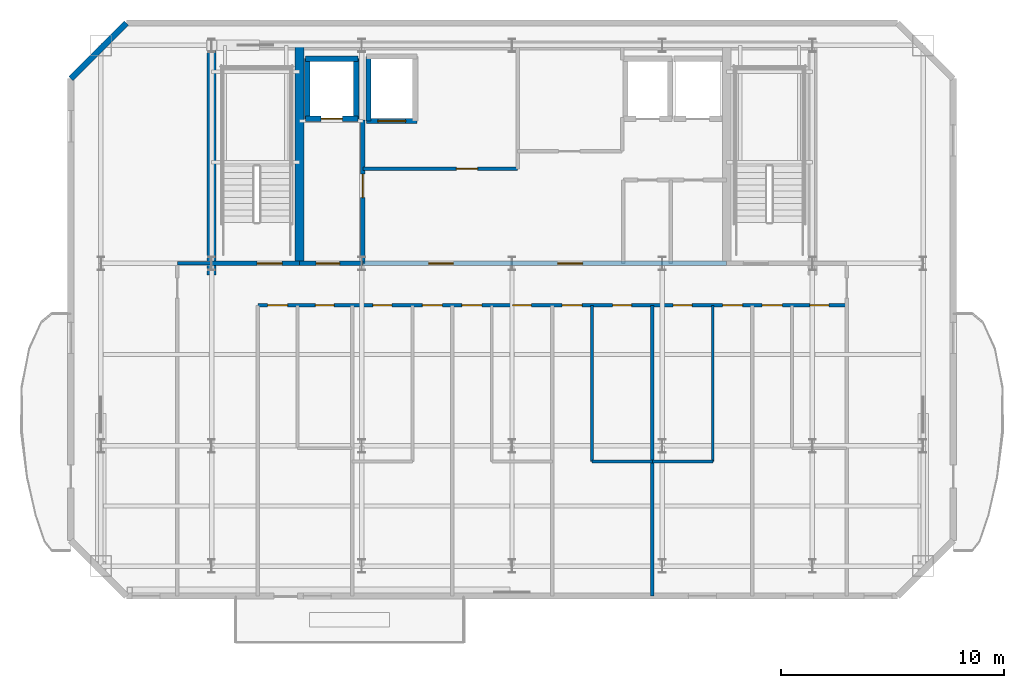
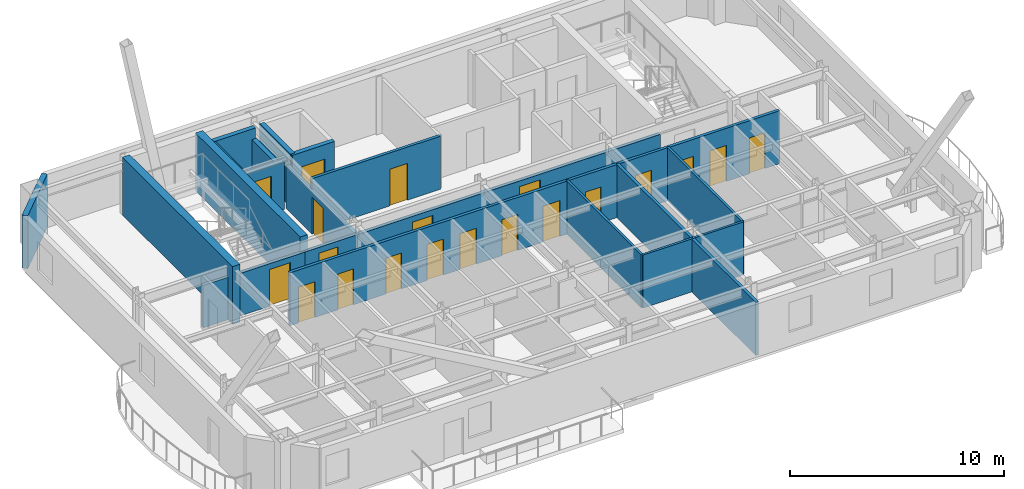
# One storey, part 3 of 6: 21 walls, 20 doors, 20 openings.
"""IFC4 building model written with IfcOpenShell, lengths in metres."""

from ifc_helpers import new_model, si_unit, direction, frame, frame_2d, origin, place, context, subcontext, project, spatial, rectangle, extrude, material, layer, layer_set, type_object, element, fill, save


model = new_model("IFC4")

# Units and contexts
model_context = context("Model", 3, precision=1e-05, world=origin(), true_north=direction((0.0, 1.0)))
body_context = subcontext(model_context, "Body", "Model", "MODEL_VIEW")
ifc_project = project(units=[si_unit("LENGTHUNIT", "METRE"), si_unit("AREAUNIT", "SQUARE_METRE"), si_unit("VOLUMEUNIT", "CUBIC_METRE"), si_unit("PLANEANGLEUNIT", "RADIAN"), si_unit("MASSUNIT", "GRAM", prefix="KILO")], contexts=[model_context])

# Site, building, storey
site_placement = place(None, origin())
site = spatial("IfcSite", under=ifc_project, at=site_placement, CompositionType="ELEMENT")
building_placement = place(site_placement, origin())
building = spatial("IfcBuilding", under=site, at=building_placement, Name="Haevon Station Towers", CompositionType="ELEMENT")
storey_placement = place(building_placement, frame((0.0, 0.0, 249.300048828125)))
storey = spatial("IfcBuildingStorey", under=building, at=storey_placement, Name="L69", CompositionType="ELEMENT", Elevation=249.300048828125)

# Wall, opening, door
ifc_material_1 = material(Name="Gypsum board on steel stud", Category="steel")
ifc_layer_1 = layer(ifc_material_1, 0.199951171875)
ifc_layer_set_1 = layer_set([ifc_layer_1], Name="Gypsum board on steel stud")
wall_type_1 = type_object("IfcWallType", Name="WL-COR200", PredefinedType="PARTITIONING", material=ifc_layer_set_1)
wall_1_placement = place(storey_placement, frame((24.0, 38.199951171875, 0.0), z_axis=(0.0, 0.0, 1.0), x_axis=(1.0, 0.0, 0.0)))
wall_1 = element("IfcWall", 1, at=wall_1_placement, inside=storey, type_object=wall_type_1, Name="WL-ST-ST1-L69", PredefinedType="PARTITIONING", context=body_context, shape_type="SweptSolid", body=[
    extrude(rectangle(XDim=3.949951171875, YDim=0.199951171875, at=frame_2d((1.97509765625, 0.0))), origin(), (0.0, 0.0, 1.0), 2.429931640625),
])
opening_1_placement = place(wall_1_placement, frame((2.050048828125, 0.0, 0.0)))
opening_1 = element("IfcOpeningElement", 2, at=opening_1_placement, cuts=wall_1, Name="Opening DR-ST-ST1-L69", PredefinedType="OPENING", context=body_context, shape_type="SweptSolid", body=[
    extrude(rectangle(XDim=1.1201171875, YDim=2.10009765625, at=frame_2d((0.56005859375, 1.050048828125))), frame((0.0, 0.10986328125, 0.0), z_axis=(0.0, -1.0, 0.0), x_axis=(1.0, 0.0, 0.0)), (0.0, 0.0, 1.0), 0.219970703125),
])
ifc_material_2 = material(Name="Engineered oak timber", Category="wood")
door_type_1 = type_object("IfcDoorType", Name="DR-ST-1120", OperationType="NOTDEFINED", PredefinedType="DOOR", material=ifc_material_2)
door_1_placement = place(opening_1_placement, origin())
door_1 = element("IfcDoor", 3, at=door_1_placement, inside=storey, type_object=door_type_1, Name="L69 Escape Stair ST1 Fire Door", OperationType="SINGLE_SWING_LEFT", OverallHeight=2.10009765625, OverallWidth=1.1201171875, PredefinedType="DOOR", context=body_context, shape_type="SweptSolid", body=[
    extrude(rectangle(XDim=1.1201171875, YDim=2.10009765625, at=frame_2d((0.56005859375, 1.050048828125))), frame((0.0, 0.02490234375, 0.0), z_axis=(0.0, -1.0, 0.0), x_axis=(1.0, 0.0, 0.0)), (0.0, 0.0, 1.0), 0.050048828125),
])
fill(opening_1, door_1)

wall_2_placement = place(storey_placement, frame((30.800048828125, 38.199951171875, 0.0), z_axis=(0.0, 0.0, 1.0), x_axis=(0.0, 1.0, 0.0)))
wall_2 = element("IfcWall", 4, at=wall_2_placement, inside=storey, type_object=wall_type_1, Name="WL-T1FFL-L69-E", PredefinedType="PARTITIONING", context=body_context, shape_type="SweptSolid", body=[
    extrude(rectangle(XDim=6.449951171875, YDim=0.199951171875, at=frame_2d((3.22509765625, 0.0))), origin(), (0.0, 0.0, 1.0), 2.429931640625),
])
opening_2_placement = place(wall_2_placement, frame((2.9599609375, 0.0, 0.0)))
opening_2 = element("IfcOpeningElement", 5, at=opening_2_placement, cuts=wall_2, Name="Opening DR-T1FFL-L69-E", PredefinedType="OPENING", context=body_context, shape_type="SweptSolid", body=[
    extrude(rectangle(XDim=1.050048828125, YDim=2.10009765625, at=frame_2d((0.52490234375, 1.050048828125))), frame((0.0, 0.10986328125, 0.0), z_axis=(0.0, -1.0, 0.0), x_axis=(1.0, 0.0, 0.0)), (0.0, 0.0, 1.0), 0.219970703125),
])
door_type_2 = type_object("IfcDoorType", Name="DR-FD60-1050", OperationType="NOTDEFINED", PredefinedType="DOOR", material=ifc_material_2)
door_2_placement = place(opening_2_placement, origin())
door_2 = element("IfcDoor", 6, at=door_2_placement, inside=storey, type_object=door_type_2, Name="L69 Tower 1 Firefighting Lift Lobby Door E", OperationType="SINGLE_SWING_LEFT", OverallHeight=2.10009765625, OverallWidth=1.050048828125, PredefinedType="DOOR", context=body_context, shape_type="SweptSolid", body=[
    extrude(rectangle(XDim=1.050048828125, YDim=2.10009765625, at=frame_2d((0.52490234375, 1.050048828125))), frame((0.0, 0.02490234375, 0.0), z_axis=(0.0, -1.0, 0.0), x_axis=(1.0, 0.0, 0.0)), (0.0, 0.0, 1.0), 0.050048828125),
])
fill(opening_2, door_2)

wall_3_placement = place(storey_placement, frame((27.949951171875, 38.199951171875, 0.0), z_axis=(0.0, 0.0, 1.0), x_axis=(1.0, 0.0, 0.0)))
wall_3 = element("IfcWall", 7, at=wall_3_placement, inside=storey, type_object=wall_type_1, Name="WL-T1FFL-L69-S", PredefinedType="PARTITIONING", context=body_context, shape_type="SweptSolid", body=[
    extrude(rectangle(XDim=2.85009765625, YDim=0.199951171875, at=frame_2d((1.425048828125, 0.0))), origin(), (0.0, 0.0, 1.0), 2.429931640625),
])
opening_3_placement = place(wall_3_placement, frame((0.75, 0.0, 0.0)))
opening_3 = element("IfcOpeningElement", 8, at=opening_3_placement, cuts=wall_3, Name="Opening DR-T1FFL-L69-S", PredefinedType="OPENING", context=body_context, shape_type="SweptSolid", body=[
    extrude(rectangle(XDim=1.050048828125, YDim=2.10009765625, at=frame_2d((0.52490234375, 1.050048828125))), frame((0.0, 0.10986328125, 0.0), z_axis=(0.0, -1.0, 0.0), x_axis=(1.0, 0.0, 0.0)), (0.0, 0.0, 1.0), 0.219970703125),
])
door_3_placement = place(opening_3_placement, origin())
door_3 = element("IfcDoor", 9, at=door_3_placement, inside=storey, type_object=door_type_2, Name="L69 Tower 1 Firefighting Lift Lobby Door S", OperationType="SINGLE_SWING_RIGHT", OverallHeight=2.10009765625, OverallWidth=1.050048828125, PredefinedType="DOOR", context=body_context, shape_type="SweptSolid", body=[
    extrude(rectangle(XDim=1.050048828125, YDim=2.10009765625, at=frame_2d((0.52490234375, 1.050048828125))), frame((0.0, 0.02490234375, 0.0), z_axis=(0.0, -1.0, 0.0), x_axis=(1.0, 0.0, 0.0)), (0.0, 0.0, 1.0), 0.050048828125),
])
fill(opening_3, door_3)

# Wall, openings, doors
wall_4_placement = place(storey_placement, frame((30.800048828125, 38.199951171875, 0.0), z_axis=(0.0, 0.0, 1.0), x_axis=(1.0, 0.0, 0.0)))
wall_4 = element("IfcWall", 10, at=wall_4_placement, inside=storey, type_object=wall_type_1, Name="WL-T1CLB-L69", PredefinedType="PARTITIONING", context=body_context, shape_type="SweptSolid", body=[
    extrude(rectangle(XDim=16.349853515625, YDim=0.199951171875, at=frame_2d((8.1748046875, 0.0))), origin(), (0.0, 0.0, 1.0), 2.429931640625),
])
opening_4_placement = place(wall_4_placement, frame((2.949951171875, 0.0, 0.0)))
opening_4 = element("IfcOpeningElement", 11, at=opening_4_placement, cuts=wall_4, Name="Opening DR-T1CLB-L69-1", PredefinedType="OPENING", context=body_context, shape_type="SweptSolid", body=[
    extrude(rectangle(XDim=1.1201171875, YDim=2.10009765625, at=frame_2d((0.56005859375, 1.050048828125))), frame((0.0, 0.10986328125, 0.0), z_axis=(0.0, -1.0, 0.0), x_axis=(1.0, 0.0, 0.0)), (0.0, 0.0, 1.0), 0.219970703125),
])
opening_5_placement = place(wall_4_placement, frame((8.75, 0.0, 0.0)))
opening_5 = element("IfcOpeningElement", 12, at=opening_5_placement, cuts=wall_4, Name="Opening DR-T1CLB-L69-2", PredefinedType="OPENING", context=body_context, shape_type="SweptSolid", body=[
    extrude(rectangle(XDim=1.1201171875, YDim=2.10009765625, at=frame_2d((0.56005859375, 1.050048828125))), frame((0.0, 0.10986328125, 0.0), z_axis=(0.0, -1.0, 0.0), x_axis=(1.0, 0.0, 0.0)), (0.0, 0.0, 1.0), 0.219970703125),
])
door_4_placement = place(opening_4_placement, origin())
door_4 = element("IfcDoor", 13, at=door_4_placement, inside=storey, type_object=door_type_1, Name="L69 Tower 1 Core Lift Lobby Door 1", OperationType="SINGLE_SWING_LEFT", OverallHeight=2.10009765625, OverallWidth=1.1201171875, PredefinedType="DOOR", context=body_context, shape_type="SweptSolid", body=[
    extrude(rectangle(XDim=1.1201171875, YDim=2.10009765625, at=frame_2d((0.56005859375, 1.050048828125))), frame((0.0, 0.02490234375, 0.0), z_axis=(0.0, -1.0, 0.0), x_axis=(1.0, 0.0, 0.0)), (0.0, 0.0, 1.0), 0.050048828125),
])
fill(opening_4, door_4)
door_5_placement = place(opening_5_placement, origin())
door_5 = element("IfcDoor", 14, at=door_5_placement, inside=storey, type_object=door_type_1, Name="L69 Tower 1 Core Lift Lobby Door 2", OperationType="SINGLE_SWING_RIGHT", OverallHeight=2.10009765625, OverallWidth=1.1201171875, PredefinedType="DOOR", context=body_context, shape_type="SweptSolid", body=[
    extrude(rectangle(XDim=1.1201171875, YDim=2.10009765625, at=frame_2d((0.56005859375, 1.050048828125))), frame((0.0, 0.02490234375, 0.0), z_axis=(0.0, -1.0, 0.0), x_axis=(1.0, 0.0, 0.0)), (0.0, 0.0, 1.0), 0.050048828125),
])
fill(opening_5, door_5)

# Walls
ifc_material_3 = material(Name="Concrete C60/75", Category="concrete")
ifc_layer_2 = layer(ifc_material_3, 0.39990234375)
ifc_layer_set_2 = layer_set([ifc_layer_2], Name="Concrete C60/75")
wall_type_2 = type_object("IfcWallType", Name="WL-CR400", PredefinedType="SHEAR", material=ifc_layer_set_2)
wall_5_placement = place(storey_placement, frame((24.0, 37.679931640625, 0.0), z_axis=(0.0, 0.0, 1.0), x_axis=(0.0, 1.0, 0.0)))
element("IfcWall", 15, at=wall_5_placement, inside=storey, type_object=wall_type_2, Name="WL-T1CR-L69-W", PredefinedType="SHEAR", context=body_context, shape_type="SweptSolid", body=[
    extrude(rectangle(XDim=10.320068359375, YDim=0.39990234375, at=frame_2d((5.16015625, 0.0))), origin(), (0.0, 0.0, 1.0), 3.300048828125),
])
wall_6_placement = place(storey_placement, frame((27.949951171875, 38.199951171875, 0.0), z_axis=(0.0, 0.0, 1.0), x_axis=(0.0, 1.0, 0.0)))
element("IfcWall", 16, at=wall_6_placement, inside=storey, type_object=wall_type_2, Name="WL-T1CR-L69-M1", PredefinedType="SHEAR", context=body_context, shape_type="SweptSolid", body=[
    extrude(rectangle(XDim=9.800048828125, YDim=0.39990234375, at=frame_2d((4.89990234375, 0.0))), origin(), (0.0, 0.0, 1.0), 3.300048828125),
])
ifc_material_4 = material(Name="Precast concrete C45/55", Category="concrete")
ifc_layer_3 = layer(ifc_material_4, 0.280029296875)
ifc_layer_set_3 = layer_set([ifc_layer_3], Name="Precast concrete C45/55")
wall_type_3 = type_object("IfcWallType", Name="WL-EXT-PIER280", PredefinedType="SOLIDWALL", material=ifc_layer_set_3)
wall_7_placement = place(storey_placement, frame((17.675048828125, 46.5, 0.0), z_axis=(0.0, 0.0, 1.0), x_axis=(0.707106781187, 0.707106781187, 0.0)))
element("IfcWall", 17, at=wall_7_placement, inside=storey, type_object=wall_type_3, Name="WL-T1-L69-NWC", PredefinedType="SOLIDWALL", context=body_context, shape_type="SweptSolid", body=[
    extrude(rectangle(XDim=3.53564453125, YDim=0.280029296875, at=frame_2d((1.767822265625, 0.0))), origin(), (0.0, 0.0, 1.0), 3.030029296875),
])
ifc_layer_4 = layer(ifc_material_1, 0.125)
ifc_layer_set_4 = layer_set([ifc_layer_4], Name="Gypsum board on steel stud")
wall_type_4 = type_object("IfcWallType", Name="WL-PRT125", PredefinedType="PARTITIONING", material=ifc_layer_set_4)
wall_8_placement = place(storey_placement, frame((41.089111328125, 29.29638671875, 0.0), z_axis=(0.0, 0.0, 1.0), x_axis=(1.0, 0.0, 0.0)))
element("IfcWall", 18, at=wall_8_placement, inside=storey, type_object=wall_type_4, Name="WL-T1PT-L69-15", PredefinedType="PARTITIONING", context=body_context, shape_type="SweptSolid", body=[
    extrude(rectangle(XDim=2.7177734375, YDim=0.125, at=frame_2d((1.35888671875, 0.0))), origin(), (0.0, 0.0, 1.0), 3.030029296875),
])
wall_9_placement = place(storey_placement, frame((41.089111328125, 29.29638671875, 0.0), z_axis=(0.0, 0.0, 1.0), x_axis=(0.0, 1.0, 0.0)))
element("IfcWall", 19, at=wall_9_placement, inside=storey, type_object=wall_type_4, Name="WL-T1PT-L69-16", PredefinedType="PARTITIONING", context=body_context, shape_type="SweptSolid", body=[
    extrude(rectangle(XDim=7.023681640625, YDim=0.125, at=frame_2d((3.51171875, 0.0))), origin(), (0.0, 0.0, 1.0), 3.030029296875),
])
wall_10_placement = place(storey_placement, frame((43.806884765625, 29.296630859375, 0.0), z_axis=(0.0, 0.0, 1.0), x_axis=(1.0, 0.0, 0.0)))
element("IfcWall", 20, at=wall_10_placement, inside=storey, type_object=wall_type_4, Name="WL-T1PT-L69-18", PredefinedType="PARTITIONING", context=body_context, shape_type="SweptSolid", body=[
    extrude(rectangle(XDim=2.7177734375, YDim=0.125, at=frame_2d((1.35888671875, 0.0))), origin(), (0.0, 0.0, 1.0), 3.030029296875),
])
wall_11_placement = place(storey_placement, frame((46.524658203125, 29.296630859375, 0.0), z_axis=(0.0, 0.0, 1.0), x_axis=(0.0, 1.0, 0.0)))
element("IfcWall", 21, at=wall_11_placement, inside=storey, type_object=wall_type_4, Name="WL-T1PT-L69-19", PredefinedType="PARTITIONING", context=body_context, shape_type="SweptSolid", body=[
    extrude(rectangle(XDim=7.0234375, YDim=0.125, at=frame_2d((3.51171875, 0.0))), origin(), (0.0, 0.0, 1.0), 3.030029296875),
])

# Wall, opening, door
ifc_layer_5 = layer(ifc_material_1, 0.159912109375)
ifc_layer_set_5 = layer_set([ifc_layer_5], Name="Gypsum board on steel stud")
wall_type_5 = type_object("IfcWallType", Name="WL-PRT160", PredefinedType="PARTITIONING", material=ifc_layer_set_5)
wall_12_placement = place(storey_placement, frame((30.800048828125, 42.449951171875, 0.0), z_axis=(0.0, 0.0, 1.0), x_axis=(1.0, 0.0, 0.0)))
wall_12 = element("IfcWall", 22, at=wall_12_placement, inside=storey, type_object=wall_type_5, Name="WL-T1CW-L69-01", PredefinedType="PARTITIONING", context=body_context, shape_type="SweptSolid", body=[
    extrude(rectangle(XDim=6.949951171875, YDim=0.159912109375, at=frame_2d((3.47509765625, 0.0))), origin(), (0.0, 0.0, 1.0), 3.030029296875),
])
opening_6_placement = place(wall_12_placement, frame((4.199951171875, 0.0, 0.0)))
opening_6 = element("IfcOpeningElement", 23, at=opening_6_placement, cuts=wall_12, Name="Opening DR-WL-T1CW-L69-01-1", PredefinedType="OPENING", context=body_context, shape_type="SweptSolid", body=[
    extrude(rectangle(XDim=0.949951171875, YDim=2.10009765625, at=frame_2d((0.47509765625, 1.050048828125))), frame((0.0, 0.08984375, 0.0), z_axis=(0.0, -1.0, 0.0), x_axis=(1.0, 0.0, 0.0)), (0.0, 0.0, 1.0), 0.179931640625),
])
door_type_3 = type_object("IfcDoorType", Name="DR-FD60-950", OperationType="NOTDEFINED", PredefinedType="DOOR", material=ifc_material_2)
door_6_placement = place(opening_6_placement, origin())
door_6 = element("IfcDoor", 24, at=door_6_placement, inside=storey, type_object=door_type_3, Name="L69 Tower 1 Core Room Door 1-1", OperationType="SINGLE_SWING_RIGHT", OverallHeight=2.10009765625, OverallWidth=0.949951171875, PredefinedType="DOOR", context=body_context, shape_type="SweptSolid", body=[
    extrude(rectangle(XDim=0.949951171875, YDim=2.10009765625, at=frame_2d((0.47509765625, 1.050048828125))), frame((0.0, 0.02490234375, 0.0), z_axis=(0.0, -1.0, 0.0), x_axis=(1.0, 0.0, 0.0)), (0.0, 0.0, 1.0), 0.050048828125),
])
fill(opening_6, door_6)

# Walls
wall_13_placement = place(storey_placement, frame((22.4619140625, 38.199951171875, 0.0), z_axis=(0.0, 0.0, 1.0), x_axis=(1.0, 0.0, 0.0)))
element("IfcWall", 25, at=wall_13_placement, inside=storey, type_object=wall_type_5, Name="WL-T1PT-L69-02", PredefinedType="PARTITIONING", context=body_context, shape_type="SweptSolid", body=[
    extrude(rectangle(XDim=1.5380859375, YDim=0.159912109375, at=frame_2d((0.76904296875, 0.0))), origin(), (0.0, 0.0, 1.0), 2.429931640625),
])
wall_14_placement = place(storey_placement, frame((43.806884765625, 23.25, 0.0), z_axis=(0.0, 0.0, 1.0), x_axis=(0.0, 1.0, 0.0)))
element("IfcWall", 26, at=wall_14_placement, inside=storey, type_object=wall_type_5, Name="WL-T1PT-L69-17", PredefinedType="PARTITIONING", context=body_context, shape_type="SweptSolid", body=[
    extrude(rectangle(XDim=13.070068359375, YDim=0.159912109375, at=frame_2d((6.53515625, 0.0))), origin(), (0.0, 0.0, 1.0), 3.030029296875),
])

# Wall, openings, doors
wall_15_placement = place(storey_placement, frame((26.080078125, 36.320068359375, 0.0), z_axis=(0.0, 0.0, 1.0), x_axis=(1.0, 0.0, 0.0)))
wall_15 = element("IfcWall", 27, at=wall_15_placement, inside=storey, type_object=wall_type_5, Name="WL-T1PT-L69-23", PredefinedType="PARTITIONING", context=body_context, shape_type="SweptSolid", body=[
    extrude(rectangle(XDim=26.4580078125, YDim=0.159912109375, at=frame_2d((13.22900390625, 0.0))), origin(), (0.0, 0.0, 1.0), 3.030029296875),
])
opening_7_placement = place(wall_15_placement, frame((2.58203125, 0.0, 0.0)))
opening_7 = element("IfcOpeningElement", 28, at=opening_7_placement, cuts=wall_15, Name="Opening DR-WL-T1PT-L69-23-01", PredefinedType="OPENING", context=body_context, shape_type="SweptSolid", body=[
    extrude(rectangle(XDim=0.85009765625, YDim=2.050048828125, at=frame_2d((0.425048828125, 1.02490234375))), frame((0.0, 0.08984375, 0.0), z_axis=(0.0, -1.0, 0.0), x_axis=(1.0, 0.0, 0.0)), (0.0, 0.0, 1.0), 0.179931640625),
])
opening_8_placement = place(wall_15_placement, frame((0.43994140625, 0.0, 0.0)))
opening_8 = element("IfcOpeningElement", 29, at=opening_8_placement, cuts=wall_15, Name="Opening DR-WL-T1PT-L69-23-02", PredefinedType="OPENING", context=body_context, shape_type="SweptSolid", body=[
    extrude(rectangle(XDim=0.89990234375, YDim=2.050048828125, at=frame_2d((0.449951171875, 1.02490234375))), frame((0.0, 0.08984375, 0.0), z_axis=(0.0, -1.0, 0.0), x_axis=(1.0, 0.0, 0.0)), (0.0, 0.0, 1.0), 0.179931640625),
])
opening_9_placement = place(wall_15_placement, frame((5.1669921875, 0.0, 0.0)))
opening_9 = element("IfcOpeningElement", 30, at=opening_9_placement, cuts=wall_15, Name="Opening DR-WL-T1PT-L69-23-03", PredefinedType="OPENING", context=body_context, shape_type="SweptSolid", body=[
    extrude(rectangle(XDim=0.85009765625, YDim=2.050048828125, at=frame_2d((0.425048828125, 1.02490234375))), frame((0.0, 0.08984375, 0.0), z_axis=(0.0, -1.0, 0.0), x_axis=(1.0, 0.0, 0.0)), (0.0, 0.0, 1.0), 0.179931640625),
])
opening_10_placement = place(wall_15_placement, frame((7.39111328125, 0.0, 0.0)))
opening_10 = element("IfcOpeningElement", 31, at=opening_10_placement, cuts=wall_15, Name="Opening DR-WL-T1PT-L69-23-04", PredefinedType="OPENING", context=body_context, shape_type="SweptSolid", body=[
    extrude(rectangle(XDim=0.89990234375, YDim=2.050048828125, at=frame_2d((0.449951171875, 1.02490234375))), frame((0.0, 0.08984375, 0.0), z_axis=(0.0, -1.0, 0.0), x_axis=(1.0, 0.0, 0.0)), (0.0, 0.0, 1.0), 0.179931640625),
])
opening_11_placement = place(wall_15_placement, frame((11.445068359375, 0.0, 0.0)))
opening_11 = element("IfcOpeningElement", 32, at=opening_11_placement, cuts=wall_15, Name="Opening DR-WL-T1PT-L69-23-05", PredefinedType="OPENING", context=body_context, shape_type="SweptSolid", body=[
    extrude(rectangle(XDim=0.85009765625, YDim=2.050048828125, at=frame_2d((0.425048828125, 1.02490234375))), frame((0.0, 0.08984375, 0.0), z_axis=(0.0, -1.0, 0.0), x_axis=(1.0, 0.0, 0.0)), (0.0, 0.0, 1.0), 0.179931640625),
])
opening_12_placement = place(wall_15_placement, frame((9.1708984375, 0.0, 0.0)))
opening_12 = element("IfcOpeningElement", 33, at=opening_12_placement, cuts=wall_15, Name="Opening DR-WL-T1PT-L69-23-06", PredefinedType="OPENING", context=body_context, shape_type="SweptSolid", body=[
    extrude(rectangle(XDim=0.89990234375, YDim=2.050048828125, at=frame_2d((0.449951171875, 1.02490234375))), frame((0.0, 0.08984375, 0.0), z_axis=(0.0, -1.0, 0.0), x_axis=(1.0, 0.0, 0.0)), (0.0, 0.0, 1.0), 0.179931640625),
])
opening_13_placement = place(wall_15_placement, frame((15.943115234375, 0.0, 0.0)))
opening_13 = element("IfcOpeningElement", 34, at=opening_13_placement, cuts=wall_15, Name="Opening DR-WL-T1PT-L69-23-07", PredefinedType="OPENING", context=body_context, shape_type="SweptSolid", body=[
    extrude(rectangle(XDim=0.85009765625, YDim=2.050048828125, at=frame_2d((0.425048828125, 1.02490234375))), frame((0.0, 0.08984375, 0.0), z_axis=(0.0, -1.0, 0.0), x_axis=(1.0, 0.0, 0.0)), (0.0, 0.0, 1.0), 0.179931640625),
])
opening_14_placement = place(wall_15_placement, frame((13.6689453125, 0.0, 0.0)))
opening_14 = element("IfcOpeningElement", 35, at=opening_14_placement, cuts=wall_15, Name="Opening DR-WL-T1PT-L69-23-08", PredefinedType="OPENING", context=body_context, shape_type="SweptSolid", body=[
    extrude(rectangle(XDim=0.89990234375, YDim=2.050048828125, at=frame_2d((0.449951171875, 1.02490234375))), frame((0.0, 0.08984375, 0.0), z_axis=(0.0, -1.0, 0.0), x_axis=(1.0, 0.0, 0.0)), (0.0, 0.0, 1.0), 0.179931640625),
])
opening_15_placement = place(wall_15_placement, frame((18.660888671875, 0.0, 0.0)))
opening_15 = element("IfcOpeningElement", 36, at=opening_15_placement, cuts=wall_15, Name="Opening DR-WL-T1PT-L69-23-09", PredefinedType="OPENING", context=body_context, shape_type="SweptSolid", body=[
    extrude(rectangle(XDim=0.85009765625, YDim=2.050048828125, at=frame_2d((0.425048828125, 1.02490234375))), frame((0.0, 0.08984375, 0.0), z_axis=(0.0, -1.0, 0.0), x_axis=(1.0, 0.0, 0.0)), (0.0, 0.0, 1.0), 0.179931640625),
])
opening_16_placement = place(wall_15_placement, frame((20.885009765625, 0.0, 0.0)))
opening_16 = element("IfcOpeningElement", 37, at=opening_16_placement, cuts=wall_15, Name="Opening DR-WL-T1PT-L69-23-10", PredefinedType="OPENING", context=body_context, shape_type="SweptSolid", body=[
    extrude(rectangle(XDim=0.89990234375, YDim=2.050048828125, at=frame_2d((0.449951171875, 1.02490234375))), frame((0.0, 0.08984375, 0.0), z_axis=(0.0, -1.0, 0.0), x_axis=(1.0, 0.0, 0.0)), (0.0, 0.0, 1.0), 0.179931640625),
])
opening_17_placement = place(wall_15_placement, frame((24.805908203125, 0.0, 0.0)))
opening_17 = element("IfcOpeningElement", 38, at=opening_17_placement, cuts=wall_15, Name="Opening DR-WL-T1PT-L69-23-11", PredefinedType="OPENING", context=body_context, shape_type="SweptSolid", body=[
    extrude(rectangle(XDim=0.85009765625, YDim=2.050048828125, at=frame_2d((0.425048828125, 1.02490234375))), frame((0.0, 0.08984375, 0.0), z_axis=(0.0, -1.0, 0.0), x_axis=(1.0, 0.0, 0.0)), (0.0, 0.0, 1.0), 0.179931640625),
])
opening_18_placement = place(wall_15_placement, frame((22.6650390625, 0.0, 0.0)))
opening_18 = element("IfcOpeningElement", 39, at=opening_18_placement, cuts=wall_15, Name="Opening DR-WL-T1PT-L69-23-12", PredefinedType="OPENING", context=body_context, shape_type="SweptSolid", body=[
    extrude(rectangle(XDim=0.89990234375, YDim=2.050048828125, at=frame_2d((0.449951171875, 1.02490234375))), frame((0.0, 0.08984375, 0.0), z_axis=(0.0, -1.0, 0.0), x_axis=(1.0, 0.0, 0.0)), (0.0, 0.0, 1.0), 0.179931640625),
])
door_type_4 = type_object("IfcDoorType", Name="DR-FD30-850", OperationType="NOTDEFINED", PredefinedType="DOOR", material=ifc_material_2)
door_7_placement = place(opening_7_placement, origin())
door_7 = element("IfcDoor", 40, at=door_7_placement, inside=storey, type_object=door_type_4, Name="L69 Tower 1 Room Door 23-1", OperationType="SINGLE_SWING_RIGHT", OverallHeight=2.050048828125, OverallWidth=0.85009765625, PredefinedType="DOOR", context=body_context, shape_type="SweptSolid", body=[
    extrude(rectangle(XDim=0.85009765625, YDim=2.050048828125, at=frame_2d((0.425048828125, 1.02490234375))), frame((0.0, 0.02490234375, 0.0), z_axis=(0.0, -1.0, 0.0), x_axis=(1.0, 0.0, 0.0)), (0.0, 0.0, 1.0), 0.050048828125),
])
fill(opening_7, door_7)
door_8_placement = place(opening_9_placement, origin())
door_8 = element("IfcDoor", 41, at=door_8_placement, inside=storey, type_object=door_type_4, Name="L69 Tower 1 Room Door 23-3", OperationType="SINGLE_SWING_RIGHT", OverallHeight=2.050048828125, OverallWidth=0.85009765625, PredefinedType="DOOR", context=body_context, shape_type="SweptSolid", body=[
    extrude(rectangle(XDim=0.85009765625, YDim=2.050048828125, at=frame_2d((0.425048828125, 1.02490234375))), frame((0.0, 0.02490234375, 0.0), z_axis=(0.0, -1.0, 0.0), x_axis=(1.0, 0.0, 0.0)), (0.0, 0.0, 1.0), 0.050048828125),
])
fill(opening_9, door_8)
door_9_placement = place(opening_11_placement, origin())
door_9 = element("IfcDoor", 42, at=door_9_placement, inside=storey, type_object=door_type_4, Name="L69 Tower 1 Room Door 23-5", OperationType="SINGLE_SWING_RIGHT", OverallHeight=2.050048828125, OverallWidth=0.85009765625, PredefinedType="DOOR", context=body_context, shape_type="SweptSolid", body=[
    extrude(rectangle(XDim=0.85009765625, YDim=2.050048828125, at=frame_2d((0.425048828125, 1.02490234375))), frame((0.0, 0.02490234375, 0.0), z_axis=(0.0, -1.0, 0.0), x_axis=(1.0, 0.0, 0.0)), (0.0, 0.0, 1.0), 0.050048828125),
])
fill(opening_11, door_9)
door_10_placement = place(opening_13_placement, origin())
door_10 = element("IfcDoor", 43, at=door_10_placement, inside=storey, type_object=door_type_4, Name="L69 Tower 1 Room Door 23-7", OperationType="SINGLE_SWING_RIGHT", OverallHeight=2.050048828125, OverallWidth=0.85009765625, PredefinedType="DOOR", context=body_context, shape_type="SweptSolid", body=[
    extrude(rectangle(XDim=0.85009765625, YDim=2.050048828125, at=frame_2d((0.425048828125, 1.02490234375))), frame((0.0, 0.02490234375, 0.0), z_axis=(0.0, -1.0, 0.0), x_axis=(1.0, 0.0, 0.0)), (0.0, 0.0, 1.0), 0.050048828125),
])
fill(opening_13, door_10)
door_11_placement = place(opening_15_placement, origin())
door_11 = element("IfcDoor", 44, at=door_11_placement, inside=storey, type_object=door_type_4, Name="L69 Tower 1 Room Door 23-9", OperationType="SINGLE_SWING_RIGHT", OverallHeight=2.050048828125, OverallWidth=0.85009765625, PredefinedType="DOOR", context=body_context, shape_type="SweptSolid", body=[
    extrude(rectangle(XDim=0.85009765625, YDim=2.050048828125, at=frame_2d((0.425048828125, 1.02490234375))), frame((0.0, 0.02490234375, 0.0), z_axis=(0.0, -1.0, 0.0), x_axis=(1.0, 0.0, 0.0)), (0.0, 0.0, 1.0), 0.050048828125),
])
fill(opening_15, door_11)
door_12_placement = place(opening_17_placement, origin())
door_12 = element("IfcDoor", 45, at=door_12_placement, inside=storey, type_object=door_type_4, Name="L69 Tower 1 Room Door 23-11", OperationType="SINGLE_SWING_RIGHT", OverallHeight=2.050048828125, OverallWidth=0.85009765625, PredefinedType="DOOR", context=body_context, shape_type="SweptSolid", body=[
    extrude(rectangle(XDim=0.85009765625, YDim=2.050048828125, at=frame_2d((0.425048828125, 1.02490234375))), frame((0.0, 0.02490234375, 0.0), z_axis=(0.0, -1.0, 0.0), x_axis=(1.0, 0.0, 0.0)), (0.0, 0.0, 1.0), 0.050048828125),
])
fill(opening_17, door_12)
door_type_5 = type_object("IfcDoorType", Name="DR-INT-900", OperationType="NOTDEFINED", PredefinedType="DOOR", material=ifc_material_2)
door_13_placement = place(opening_8_placement, origin())
door_13 = element("IfcDoor", 46, at=door_13_placement, inside=storey, type_object=door_type_5, Name="L69 Tower 1 Room Door 23-2", OperationType="SINGLE_SWING_LEFT", OverallHeight=2.050048828125, OverallWidth=0.89990234375, PredefinedType="DOOR", context=body_context, shape_type="SweptSolid", body=[
    extrude(rectangle(XDim=0.89990234375, YDim=2.050048828125, at=frame_2d((0.449951171875, 1.02490234375))), frame((0.0, 0.02490234375, 0.0), z_axis=(0.0, -1.0, 0.0), x_axis=(1.0, 0.0, 0.0)), (0.0, 0.0, 1.0), 0.050048828125),
])
fill(opening_8, door_13)
door_14_placement = place(opening_10_placement, origin())
door_14 = element("IfcDoor", 47, at=door_14_placement, inside=storey, type_object=door_type_5, Name="L69 Tower 1 Room Door 23-4", OperationType="SINGLE_SWING_LEFT", OverallHeight=2.050048828125, OverallWidth=0.89990234375, PredefinedType="DOOR", context=body_context, shape_type="SweptSolid", body=[
    extrude(rectangle(XDim=0.89990234375, YDim=2.050048828125, at=frame_2d((0.449951171875, 1.02490234375))), frame((0.0, 0.02490234375, 0.0), z_axis=(0.0, -1.0, 0.0), x_axis=(1.0, 0.0, 0.0)), (0.0, 0.0, 1.0), 0.050048828125),
])
fill(opening_10, door_14)
door_15_placement = place(opening_12_placement, origin())
door_15 = element("IfcDoor", 48, at=door_15_placement, inside=storey, type_object=door_type_5, Name="L69 Tower 1 Room Door 23-6", OperationType="SINGLE_SWING_LEFT", OverallHeight=2.050048828125, OverallWidth=0.89990234375, PredefinedType="DOOR", context=body_context, shape_type="SweptSolid", body=[
    extrude(rectangle(XDim=0.89990234375, YDim=2.050048828125, at=frame_2d((0.449951171875, 1.02490234375))), frame((0.0, 0.02490234375, 0.0), z_axis=(0.0, -1.0, 0.0), x_axis=(1.0, 0.0, 0.0)), (0.0, 0.0, 1.0), 0.050048828125),
])
fill(opening_12, door_15)
door_16_placement = place(opening_14_placement, origin())
door_16 = element("IfcDoor", 49, at=door_16_placement, inside=storey, type_object=door_type_5, Name="L69 Tower 1 Room Door 23-8", OperationType="SINGLE_SWING_LEFT", OverallHeight=2.050048828125, OverallWidth=0.89990234375, PredefinedType="DOOR", context=body_context, shape_type="SweptSolid", body=[
    extrude(rectangle(XDim=0.89990234375, YDim=2.050048828125, at=frame_2d((0.449951171875, 1.02490234375))), frame((0.0, 0.02490234375, 0.0), z_axis=(0.0, -1.0, 0.0), x_axis=(1.0, 0.0, 0.0)), (0.0, 0.0, 1.0), 0.050048828125),
])
fill(opening_14, door_16)
door_17_placement = place(opening_16_placement, origin())
door_17 = element("IfcDoor", 50, at=door_17_placement, inside=storey, type_object=door_type_5, Name="L69 Tower 1 Room Door 23-10", OperationType="SINGLE_SWING_LEFT", OverallHeight=2.050048828125, OverallWidth=0.89990234375, PredefinedType="DOOR", context=body_context, shape_type="SweptSolid", body=[
    extrude(rectangle(XDim=0.89990234375, YDim=2.050048828125, at=frame_2d((0.449951171875, 1.02490234375))), frame((0.0, 0.02490234375, 0.0), z_axis=(0.0, -1.0, 0.0), x_axis=(1.0, 0.0, 0.0)), (0.0, 0.0, 1.0), 0.050048828125),
])
fill(opening_16, door_17)
door_18_placement = place(opening_18_placement, origin())
door_18 = element("IfcDoor", 51, at=door_18_placement, inside=storey, type_object=door_type_5, Name="L69 Tower 1 Room Door 23-12", OperationType="SINGLE_SWING_LEFT", OverallHeight=2.050048828125, OverallWidth=0.89990234375, PredefinedType="DOOR", context=body_context, shape_type="SweptSolid", body=[
    extrude(rectangle(XDim=0.89990234375, YDim=2.050048828125, at=frame_2d((0.449951171875, 1.02490234375))), frame((0.0, 0.02490234375, 0.0), z_axis=(0.0, -1.0, 0.0), x_axis=(1.0, 0.0, 0.0)), (0.0, 0.0, 1.0), 0.050048828125),
])
fill(opening_18, door_18)

# Wall, opening, door
ifc_material_5 = material(Name="Concrete C40/50", Category="concrete")
ifc_layer_6 = layer(ifc_material_5, 0.239990234375)
ifc_layer_set_6 = layer_set([ifc_layer_6], Name="Concrete C40/50")
wall_type_6 = type_object("IfcWallType", Name="WL-SHF240", PredefinedType="PARTITIONING", material=ifc_layer_set_6)
wall_16_placement = place(storey_placement, frame((28.219970703125, 44.699951171875, 0.0), z_axis=(0.0, 0.0, 1.0), x_axis=(1.0, 0.0, 0.0)))
wall_16 = element("IfcWall", 52, at=wall_16_placement, inside=storey, type_object=wall_type_6, Name="WL-SHF-FL1-L69", PredefinedType="PARTITIONING", context=body_context, shape_type="SweptSolid", body=[
    extrude(rectangle(XDim=2.360107421875, YDim=0.239990234375, at=frame_2d((1.18017578125, 0.0))), origin(), (0.0, 0.0, 1.0), 2.72998046875),
])
opening_19_placement = place(wall_16_placement, frame((0.705078125, 0.0, 0.0)))
opening_19 = element("IfcOpeningElement", 53, at=opening_19_placement, cuts=wall_16, Name="Opening LD-FL1-L69", PredefinedType="OPENING", context=body_context, shape_type="SweptSolid", body=[
    extrude(rectangle(XDim=0.949951171875, YDim=2.14990234375, at=frame_2d((0.47509765625, 1.074951171875))), frame((0.0, 0.1298828125, 0.0), z_axis=(0.0, -1.0, 0.0), x_axis=(1.0, 0.0, 0.0)), (0.0, 0.0, 1.0), 0.260009765625),
])
ifc_material_6 = material(Name="Stainless steel and rated core", Category="steel")
door_type_6 = type_object("IfcDoorType", Name="LD-FL950", OperationType="SLIDING_TO_LEFT", PredefinedType="DOOR", material=ifc_material_6)
door_19_placement = place(opening_19_placement, origin())
door_19 = element("IfcDoor", 54, at=door_19_placement, inside=storey, type_object=door_type_6, Name="L69 Lift FL1 Sliding Landing Door", OperationType="SLIDING_TO_LEFT", OverallHeight=2.14990234375, OverallWidth=0.949951171875, PredefinedType="DOOR", context=body_context, shape_type="SweptSolid", body=[
    extrude(rectangle(XDim=0.949951171875, YDim=2.14990234375, at=frame_2d((0.47509765625, 1.074951171875))), frame((0.0, 0.02490234375, 0.0), z_axis=(0.0, -1.0, 0.0), x_axis=(1.0, 0.0, 0.0)), (0.0, 0.0, 1.0), 0.050048828125),
])
fill(opening_19, door_19)

# Walls
wall_17_placement = place(storey_placement, frame((28.219970703125, 47.39990234375, 0.0), z_axis=(0.0, 0.0, 1.0), x_axis=(1.0, 0.0, 0.0)))
element("IfcWall", 55, at=wall_17_placement, inside=storey, type_object=wall_type_6, Name="WL-SHF-FL1-L69-N", PredefinedType="PARTITIONING", context=body_context, shape_type="SweptSolid", body=[
    extrude(rectangle(XDim=2.360107421875, YDim=0.239990234375, at=frame_2d((1.18017578125, 0.0))), origin(), (0.0, 0.0, 1.0), 3.030029296875),
])
wall_18_placement = place(storey_placement, frame((28.300048828125, 44.699951171875, 0.0), z_axis=(0.0, 0.0, 1.0), x_axis=(0.0, 1.0, 0.0)))
element("IfcWall", 56, at=wall_18_placement, inside=storey, type_object=wall_type_6, Name="WL-SHF-FL1-L69-W", PredefinedType="PARTITIONING", context=body_context, shape_type="SweptSolid", body=[
    extrude(rectangle(XDim=2.699951171875, YDim=0.239990234375, at=frame_2d((1.35009765625, 0.0))), origin(), (0.0, 0.0, 1.0), 3.030029296875),
])
wall_19_placement = place(storey_placement, frame((30.5, 44.699951171875, 0.0), z_axis=(0.0, 0.0, 1.0), x_axis=(0.0, 1.0, 0.0)))
element("IfcWall", 57, at=wall_19_placement, inside=storey, type_object=wall_type_6, Name="WL-SHF-FL1-L69-E", PredefinedType="PARTITIONING", context=body_context, shape_type="SweptSolid", body=[
    extrude(rectangle(XDim=2.699951171875, YDim=0.239990234375, at=frame_2d((1.35009765625, 0.0))), origin(), (0.0, 0.0, 1.0), 2.429931640625),
])

# Wall, opening, door
wall_20_placement = place(storey_placement, frame((30.969970703125, 44.60009765625, 0.0), z_axis=(0.0, 0.0, 1.0), x_axis=(1.0, 0.0, 0.0)))
wall_20 = element("IfcWall", 58, at=wall_20_placement, inside=storey, type_object=wall_type_6, Name="WL-SHF-SL1-L69", PredefinedType="PARTITIONING", context=body_context, shape_type="SweptSolid", body=[
    extrude(rectangle(XDim=2.260009765625, YDim=0.239990234375, at=frame_2d((1.1298828125, 0.0))), origin(), (0.0, 0.0, 1.0), 3.030029296875),
])
opening_20_placement = place(wall_20_placement, frame((0.5048828125, 0.0, 0.0)))
opening_20 = element("IfcOpeningElement", 59, at=opening_20_placement, cuts=wall_20, Name="Opening LD-SL1-L69", PredefinedType="OPENING", context=body_context, shape_type="SweptSolid", body=[
    extrude(rectangle(XDim=1.25, YDim=2.199951171875, at=frame_2d((0.625, 1.10009765625))), frame((0.0, 0.1298828125, 0.0), z_axis=(0.0, -1.0, 0.0), x_axis=(1.0, 0.0, 0.0)), (0.0, 0.0, 1.0), 0.260009765625),
])
door_type_7 = type_object("IfcDoorType", Name="LD-SL1250", OperationType="SLIDING_TO_LEFT", PredefinedType="DOOR", material=ifc_material_6)
door_20_placement = place(opening_20_placement, origin())
door_20 = element("IfcDoor", 60, at=door_20_placement, inside=storey, type_object=door_type_7, Name="L69 Lift SL1 Sliding Landing Door", OperationType="SLIDING_TO_LEFT", OverallHeight=2.199951171875, OverallWidth=1.25, PredefinedType="DOOR", context=body_context, shape_type="SweptSolid", body=[
    extrude(rectangle(XDim=1.25, YDim=2.199951171875, at=frame_2d((0.625, 1.10009765625))), frame((0.0, 0.02490234375, 0.0), z_axis=(0.0, -1.0, 0.0), x_axis=(1.0, 0.0, 0.0)), (0.0, 0.0, 1.0), 0.050048828125),
])
fill(opening_20, door_20)

# Wall
wall_21_placement = place(storey_placement, frame((31.050048828125, 44.60009765625, 0.0), z_axis=(0.0, 0.0, 1.0), x_axis=(0.0, 1.0, 0.0)))
element("IfcWall", 61, at=wall_21_placement, inside=storey, type_object=wall_type_6, Name="WL-SHF-SL1-L69-W", PredefinedType="PARTITIONING", context=body_context, shape_type="SweptSolid", body=[
    extrude(rectangle(XDim=2.89990234375, YDim=0.239990234375, at=frame_2d((1.449951171875, 0.0))), origin(), (0.0, 0.0, 1.0), 3.030029296875),
])

save(model, "model.ifc")
